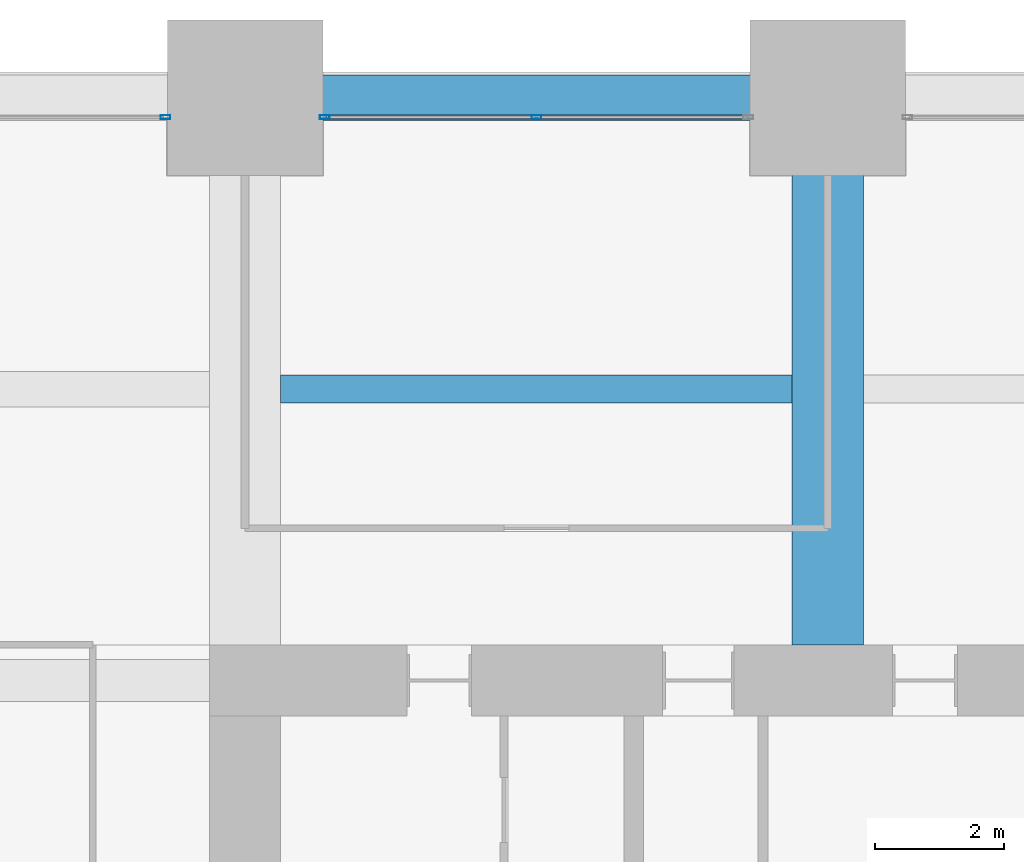
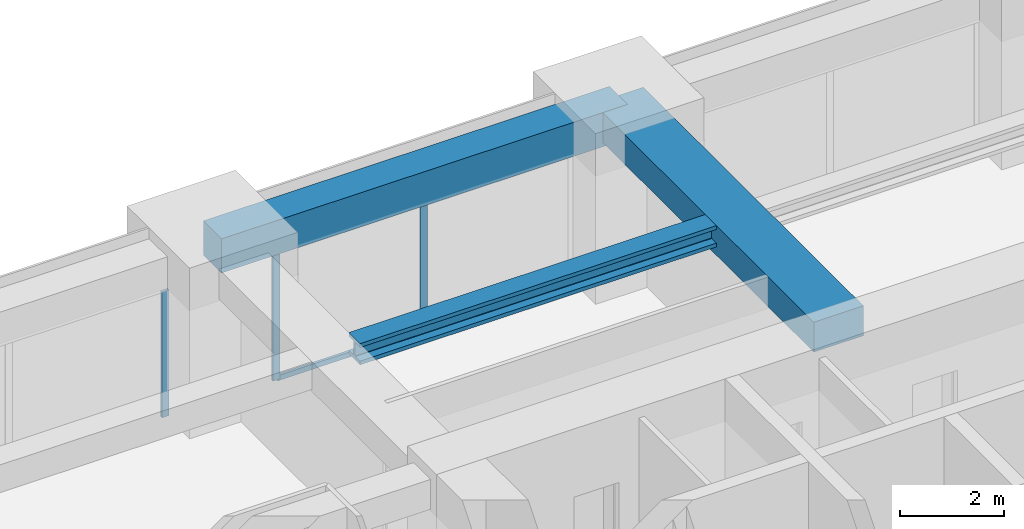
# One storey, part 28 of 40: 4 members, 3 beams, 2 elements without a shape of their own.
"""IFC4 building model written with IfcOpenShell, lengths in metres."""

from ifc_helpers import new_model, si_unit, direction, frame, origin, origin_2d, place, context, subcontext, project, spatial, rectangle, hollow_rectangle, i_section, extrude, material, material_profile, profile_set, type_object, element, aggregate, save


model = new_model("IFC4")

# Units and contexts
model_context = context("Model", 3, precision=1e-05, world=origin(), true_north=direction((0.0, 1.0)))
body_context = subcontext(model_context, "Body", "Model", "MODEL_VIEW")
ifc_project = project(units=[si_unit("LENGTHUNIT", "METRE"), si_unit("AREAUNIT", "SQUARE_METRE"), si_unit("VOLUMEUNIT", "CUBIC_METRE"), si_unit("PLANEANGLEUNIT", "RADIAN"), si_unit("MASSUNIT", "GRAM", prefix="KILO")], contexts=[model_context])

# Site, building, storey
site_placement = place(None, origin())
site = spatial("IfcSite", under=ifc_project, at=site_placement, CompositionType="ELEMENT")
building_placement = place(site_placement, origin())
building = spatial("IfcBuilding", under=site, at=building_placement, Name="Zorevar Civic Tower", CompositionType="ELEMENT")
storey_placement = place(building_placement, frame((0.0, 0.0, 133.0)))
storey = spatial("IfcBuildingStorey", under=building, at=storey_placement, Name="L32", CompositionType="ELEMENT", Elevation=133.0)

# Beam
ifc_material_1 = material(Name="Concrete C50/60", Category="concrete")
ifc_material_profile_1 = material_profile(ifc_material_1, rectangle(XDim=1.10009765625, YDim=0.699951171875, at=origin_2d()), Name="RC 1100x700")
ifc_profile_set_1 = profile_set([ifc_material_profile_1], Name="Concrete C50/60")
beam_type_1 = type_object("IfcBeamType", Name="Beam RC 1100x700", PredefinedType="BEAM", material=ifc_profile_set_1)
beam_1_placement = place(storey_placement, frame((27.0, 36.550048828125, 3.39990234375), z_axis=(0.0, 1.0, 0.0), x_axis=(-1.0, 0.0, 0.0)))
element("IfcBeam", 1, at=beam_1_placement, inside=storey, type_object=beam_type_1, Name="Girder L33", PredefinedType="BEAM", context=body_context, shape_type="SweptSolid", body=[
    extrude(rectangle(XDim=1.10009765625, YDim=0.699951171875, at=origin_2d()), origin(), (0.0, 0.0, 1.0), 8.449951171875),
])

# Curtain wall, member
ifc_material_2 = material(Name="Dark grey solar-control glass in black aluminium frame", Category="aluminium")
curtain_wall_type = type_object("IfcCurtainWallType", Name="Curtain wall CW3 mid zone", PredefinedType="NOTDEFINED", material=ifc_material_2)
curtain_wall_1_placement = place(storey_placement, origin())
curtain_wall_1 = element("IfcCurtainWall", 2, at=curtain_wall_1_placement, inside=storey, type_object=curtain_wall_type, Name="CW3 L32", PredefinedType="NOTDEFINED")
ifc_material_3 = material(Name="Aluminium, black anodised", Category="aluminium")
ifc_material_profile_2 = material_profile(ifc_material_3, hollow_rectangle(XDim=0.06005859375, YDim=0.14990234375, WallThickness=0.00390625, at=origin_2d()), Name="AL 150x60x4")
ifc_profile_set_2 = profile_set([ifc_material_profile_2], Name="Aluminium, black anodised")
member_type_1 = type_object("IfcMemberType", Name="CW3 mullion AL 150x60x4", PredefinedType="MULLION", material=ifc_profile_set_2)
member_1_placement = place(storey_placement, frame((16.77001953125, 44.699951171875, 0.0), z_axis=(0.0, 0.0, 1.0), x_axis=(0.0, 1.0, 0.0)))
member_1 = element("IfcMember", 3, at=member_1_placement, type_object=member_type_1, Name="CW3 mullion 3", PredefinedType="MULLION", context=body_context, shape_type="SweptSolid", body=[
    extrude(hollow_rectangle(XDim=0.06005859375, YDim=0.14990234375, WallThickness=0.00390625, at=origin_2d()), origin(), (0.0, 0.0, 1.0), 2.949951171875),
])
aggregate(curtain_wall_1, [member_1])

# Curtain wall, members
curtain_wall_2_placement = place(storey_placement, origin())
curtain_wall_2 = element("IfcCurtainWall", 4, at=curtain_wall_2_placement, inside=storey, type_object=curtain_wall_type, Name="CW3 L32", PredefinedType="NOTDEFINED")
member_2_placement = place(storey_placement, frame((19.22998046875, 44.699951171875, 0.0), z_axis=(0.0, 0.0, 1.0), x_axis=(0.0, 1.0, 0.0)))
member_2 = element("IfcMember", 5, at=member_2_placement, type_object=member_type_1, Name="CW3 mullion 1", PredefinedType="MULLION", context=body_context, shape_type="SweptSolid", body=[
    extrude(hollow_rectangle(XDim=0.06005859375, YDim=0.14990234375, WallThickness=0.00390625, at=origin_2d()), origin(), (0.0, 0.0, 1.0), 2.949951171875),
])
member_3_placement = place(storey_placement, frame((22.5, 44.699951171875, 0.06005859375), z_axis=(0.0, 0.0, 1.0), x_axis=(0.0, 1.0, 0.0)))
member_3 = element("IfcMember", 6, at=member_3_placement, type_object=member_type_1, Name="CW3 mullion 2", PredefinedType="MULLION", context=body_context, shape_type="SweptSolid", body=[
    extrude(hollow_rectangle(XDim=0.06005859375, YDim=0.14990234375, WallThickness=0.00390625, at=origin_2d()), origin(), (0.0, 0.0, 1.0), 2.889892578125),
])
ifc_material_4 = material(Name="Aluminium, black anodised", Category="aluminium")
ifc_material_profile_3 = material_profile(ifc_material_4, hollow_rectangle(XDim=0.06005859375, YDim=0.1201171875, WallThickness=0.0029296875, at=origin_2d()), Name="AL 120x60x3")
ifc_profile_set_3 = profile_set([ifc_material_profile_3], Name="Aluminium, black anodised")
member_type_2 = type_object("IfcMemberType", Name="CW3 transom AL 120x60x3", PredefinedType="USERDEFINED", material=ifc_profile_set_3)
member_4_placement = place(storey_placement, frame((19.260009765625, 44.699951171875, 0.030029296875), z_axis=(1.0, 0.0, 0.0), x_axis=(0.0, 1.0, 0.0)))
member_4 = element("IfcMember", 7, at=member_4_placement, type_object=member_type_2, Name="CW3 sill transom", ObjectType="TRANSOM", PredefinedType="USERDEFINED", context=body_context, shape_type="SweptSolid", body=[
    extrude(hollow_rectangle(XDim=0.06005859375, YDim=0.1201171875, WallThickness=0.0029296875, at=origin_2d()), origin(), (0.0, 0.0, 1.0), 6.47998046875),
])
aggregate(curtain_wall_2, [member_2, member_3, member_4])

# Beams
ifc_material_5 = material(Name="Steel S460M (HISTAR 460)", Category="steel")
ifc_material_profile_4 = material_profile(ifc_material_5, i_section(OverallWidth=0.431884765625, OverallDepth=0.498046875, WebThickness=0.0556640625, FlangeThickness=0.0888671875, FilletRadius=0.014892578125, at=origin_2d()), Name="HD 400x744")
ifc_profile_set_4 = profile_set([ifc_material_profile_4], Name="Steel S460M (HISTAR 460)")
beam_type_2 = type_object("IfcBeamType", Name="Core bay beam HD 400x744", PredefinedType="BEAM", material=ifc_profile_set_4)
beam_2_placement = place(storey_placement, frame((18.550048828125, 40.5, 3.5009765625), z_axis=(1.0, 0.0, 0.0), x_axis=(0.0, 1.0, 0.0)))
element("IfcBeam", 8, at=beam_2_placement, inside=storey, type_object=beam_type_2, Name="Secondary beam L33", PredefinedType="BEAM", context=body_context, shape_type="SweptSolid", body=[
    extrude(i_section(OverallWidth=0.431884765625, OverallDepth=0.498046875, WebThickness=0.0556640625, FlangeThickness=0.0888671875, FilletRadius=0.014892578125, at=origin_2d()), origin(), (0.0, 0.0, 1.0), 7.89990234375),
])
ifc_material_6 = material(Name="Concrete C50/60", Category="concrete")
ifc_material_profile_5 = material_profile(ifc_material_6, rectangle(XDim=0.699951171875, YDim=0.800048828125, at=origin_2d()), Name="RC 700x800")
ifc_profile_set_5 = profile_set([ifc_material_profile_5], Name="Concrete C50/60")
beam_type_3 = type_object("IfcBeamType", Name="Edge beam RC 700x800", PredefinedType="SPANDREL", material=ifc_profile_set_5)
beam_3_placement = place(storey_placement, frame((18.0, 45.0, 3.35009765625), z_axis=(1.0, 0.0, 0.0), x_axis=(0.0, 1.0, 0.0)))
element("IfcBeam", 9, at=beam_3_placement, inside=storey, type_object=beam_type_3, Name="Edge beam L33", PredefinedType="SPANDREL", context=body_context, shape_type="SweptSolid", body=[
    extrude(rectangle(XDim=0.699951171875, YDim=0.800048828125, at=origin_2d()), origin(), (0.0, 0.0, 1.0), 9.0),
])

save(model, "model.ifc")
